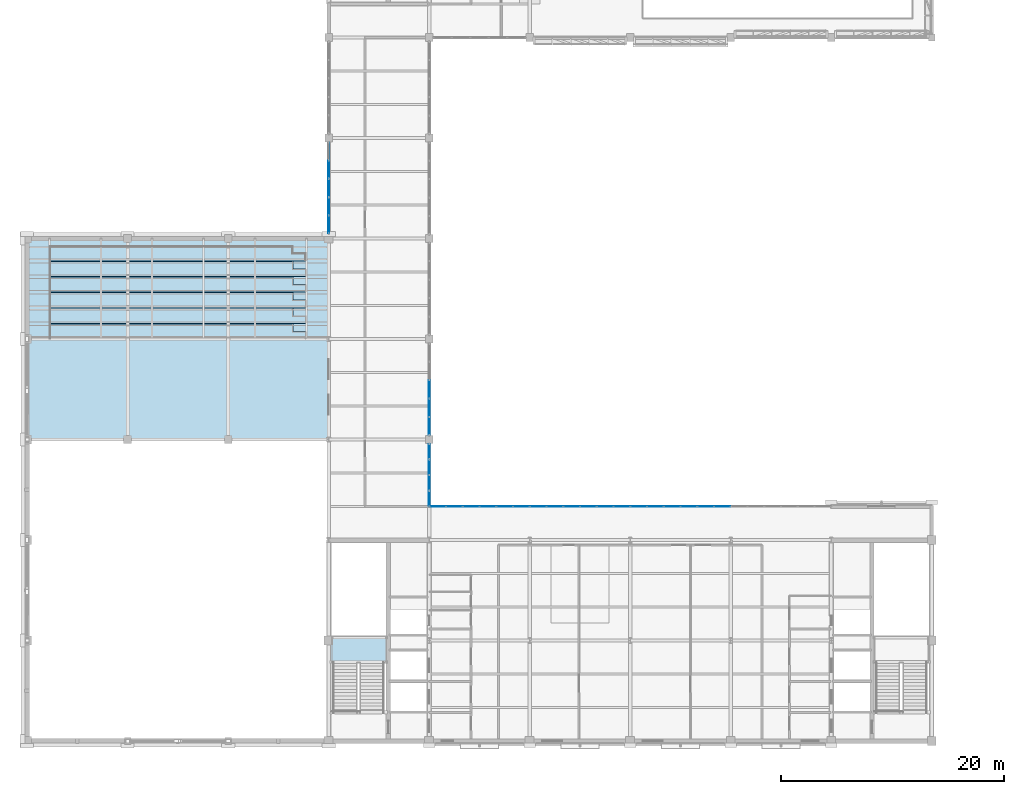
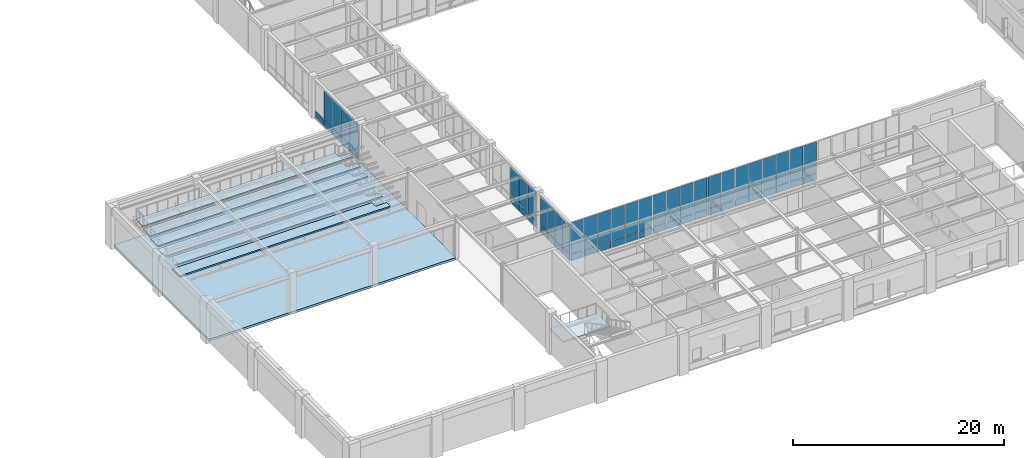
# One storey, part 67 of 98: 59 plates, 8 slabs, 7 elements without a shape of their own.
"""IFC4 building model written with IfcOpenShell, lengths in metres."""

from ifc_helpers import new_model, si_unit, direction, frame, origin, origin_2d, place, context, subcontext, project, spatial, polyline, rectangle, outline, extrude, material, layer, layer_set, type_object, element, aggregate, save


model = new_model("IFC4")

# Units and contexts
model_context = context("Model", 3, precision=1e-05, world=origin(), true_north=direction((0.0, 1.0)))
body_context = subcontext(model_context, "Body", "Model", "MODEL_VIEW")
ifc_project = project(units=[si_unit("LENGTHUNIT", "METRE"), si_unit("AREAUNIT", "SQUARE_METRE"), si_unit("VOLUMEUNIT", "CUBIC_METRE"), si_unit("PLANEANGLEUNIT", "RADIAN"), si_unit("MASSUNIT", "GRAM", prefix="KILO")], contexts=[model_context])

# Site, building, storey
site_placement = place(None, origin())
site = spatial("IfcSite", under=ifc_project, at=site_placement, CompositionType="ELEMENT")
building_placement = place(site_placement, origin())
building = spatial("IfcBuilding", under=site, at=building_placement, Name="Lykobir Media Centre", CompositionType="ELEMENT")
storey_placement = place(building_placement, frame((0.0, 0.0, 10.199951171875)))
storey = spatial("IfcBuildingStorey", under=building, at=storey_placement, Name="L02", CompositionType="ELEMENT", Elevation=10.199951171875)

# Curtain wall, plates
ifc_material_1 = material(Name="Anodized Aluminium AW-6060", Category="aluminium")
curtain_wall_type = type_object("IfcCurtainWallType", Name="CW-COURT-A", PredefinedType="NOTDEFINED", material=ifc_material_1)
curtain_wall_1_placement = place(storey_placement, origin())
curtain_wall_1 = element("IfcCurtainWall", 1, at=curtain_wall_1_placement, inside=storey, type_object=curtain_wall_type, Name="Curtain wall CW2-L02-0073", PredefinedType="NOTDEFINED")
ifc_material_2 = material(Name="Low-E Laminated Triple Glazing", Category="glass")
ifc_layer_1 = layer(ifc_material_2, 0.0380859375, Name="Low-E Laminated Triple Glazing")
ifc_layer_set_1 = layer_set([ifc_layer_1], Name="Low-E Laminated Triple Glazing")
plate_type_1 = type_object("IfcPlateType", Name="CWP-GLZ-38", PredefinedType="CURTAIN_PANEL", material=ifc_layer_set_1)
plate_1_placement = place(storey_placement, frame((36.76611328125, 21.0, 0.882568359375), z_axis=(0.0, 0.0, 1.0), x_axis=(1.0, 0.0, 0.0)))
plate_1 = element("IfcPlate", 2, at=plate_1_placement, type_object=plate_type_1, Name="CW2-L02-0073 panel 1.2", PredefinedType="CURTAIN_PANEL", context=body_context, shape_type="SweptSolid", body=[
    extrude(rectangle(XDim=1.402587890625, YDim=0.0380859375, at=origin_2d()), origin(), (0.0, 0.0, 1.0), 3.592529296875),
])
plate_2_placement = place(storey_placement, frame((38.25, 21.0, 0.882568359375), z_axis=(0.0, 0.0, 1.0), x_axis=(1.0, 0.0, 0.0)))
plate_2 = element("IfcPlate", 3, at=plate_2_placement, type_object=plate_type_1, Name="CW2-L02-0073 panel 2.2", PredefinedType="CURTAIN_PANEL", context=body_context, shape_type="SweptSolid", body=[
    extrude(rectangle(XDim=1.43505859375, YDim=0.0380859375, at=origin_2d()), origin(), (0.0, 0.0, 1.0), 3.592529296875),
])
plate_3_placement = place(storey_placement, frame((39.75, 21.0, 0.882568359375), z_axis=(0.0, 0.0, 1.0), x_axis=(1.0, 0.0, 0.0)))
plate_3 = element("IfcPlate", 4, at=plate_3_placement, type_object=plate_type_1, Name="CW2-L02-0073 panel 3.2", PredefinedType="CURTAIN_PANEL", context=body_context, shape_type="SweptSolid", body=[
    extrude(rectangle(XDim=1.43505859375, YDim=0.0380859375, at=origin_2d()), origin(), (0.0, 0.0, 1.0), 3.592529296875),
])
plate_4_placement = place(storey_placement, frame((41.25, 21.0, 0.882568359375), z_axis=(0.0, 0.0, 1.0), x_axis=(1.0, 0.0, 0.0)))
plate_4 = element("IfcPlate", 5, at=plate_4_placement, type_object=plate_type_1, Name="CW2-L02-0073 panel 4.2", PredefinedType="CURTAIN_PANEL", context=body_context, shape_type="SweptSolid", body=[
    extrude(rectangle(XDim=1.43505859375, YDim=0.0380859375, at=origin_2d()), origin(), (0.0, 0.0, 1.0), 3.592529296875),
])
plate_5_placement = place(storey_placement, frame((42.75, 21.0, 0.882568359375), z_axis=(0.0, 0.0, 1.0), x_axis=(1.0, 0.0, 0.0)))
plate_5 = element("IfcPlate", 6, at=plate_5_placement, type_object=plate_type_1, Name="CW2-L02-0073 panel 5.2", PredefinedType="CURTAIN_PANEL", context=body_context, shape_type="SweptSolid", body=[
    extrude(rectangle(XDim=1.43505859375, YDim=0.0380859375, at=origin_2d()), origin(), (0.0, 0.0, 1.0), 3.592529296875),
])
plate_6_placement = place(storey_placement, frame((44.23388671875, 21.0, 0.882568359375), z_axis=(0.0, 0.0, 1.0), x_axis=(1.0, 0.0, 0.0)))
plate_6 = element("IfcPlate", 7, at=plate_6_placement, type_object=plate_type_1, Name="CW2-L02-0073 panel 6.2", PredefinedType="CURTAIN_PANEL", context=body_context, shape_type="SweptSolid", body=[
    extrude(rectangle(XDim=1.402587890625, YDim=0.0380859375, at=origin_2d()), origin(), (0.0, 0.0, 1.0), 3.592529296875),
])

curtain_wall_2_placement = place(storey_placement, origin())
curtain_wall_2 = element("IfcCurtainWall", 8, at=curtain_wall_2_placement, inside=storey, type_object=curtain_wall_type, Name="Curtain wall CW2-L02-0074", PredefinedType="NOTDEFINED")
plate_7_placement = place(storey_placement, frame((45.76611328125, 21.0, 0.882568359375), z_axis=(0.0, 0.0, 1.0), x_axis=(1.0, 0.0, 0.0)))
plate_7 = element("IfcPlate", 9, at=plate_7_placement, type_object=plate_type_1, Name="CW2-L02-0074 panel 1.2", PredefinedType="CURTAIN_PANEL", context=body_context, shape_type="SweptSolid", body=[
    extrude(rectangle(XDim=1.402587890625, YDim=0.0380859375, at=origin_2d()), origin(), (0.0, 0.0, 1.0), 3.592529296875),
])
plate_8_placement = place(storey_placement, frame((47.25, 21.0, 0.882568359375), z_axis=(0.0, 0.0, 1.0), x_axis=(1.0, 0.0, 0.0)))
plate_8 = element("IfcPlate", 10, at=plate_8_placement, type_object=plate_type_1, Name="CW2-L02-0074 panel 2.2", PredefinedType="CURTAIN_PANEL", context=body_context, shape_type="SweptSolid", body=[
    extrude(rectangle(XDim=1.43505859375, YDim=0.0380859375, at=origin_2d()), origin(), (0.0, 0.0, 1.0), 3.592529296875),
])
plate_9_placement = place(storey_placement, frame((48.75, 21.0, 0.882568359375), z_axis=(0.0, 0.0, 1.0), x_axis=(1.0, 0.0, 0.0)))
plate_9 = element("IfcPlate", 11, at=plate_9_placement, type_object=plate_type_1, Name="CW2-L02-0074 panel 3.2", PredefinedType="CURTAIN_PANEL", context=body_context, shape_type="SweptSolid", body=[
    extrude(rectangle(XDim=1.43505859375, YDim=0.0380859375, at=origin_2d()), origin(), (0.0, 0.0, 1.0), 3.592529296875),
])
plate_10_placement = place(storey_placement, frame((50.25, 21.0, 0.882568359375), z_axis=(0.0, 0.0, 1.0), x_axis=(1.0, 0.0, 0.0)))
plate_10 = element("IfcPlate", 12, at=plate_10_placement, type_object=plate_type_1, Name="CW2-L02-0074 panel 4.2", PredefinedType="CURTAIN_PANEL", context=body_context, shape_type="SweptSolid", body=[
    extrude(rectangle(XDim=1.43505859375, YDim=0.0380859375, at=origin_2d()), origin(), (0.0, 0.0, 1.0), 3.592529296875),
])
plate_11_placement = place(storey_placement, frame((51.75, 21.0, 0.882568359375), z_axis=(0.0, 0.0, 1.0), x_axis=(1.0, 0.0, 0.0)))
plate_11 = element("IfcPlate", 13, at=plate_11_placement, type_object=plate_type_1, Name="CW2-L02-0074 panel 5.2", PredefinedType="CURTAIN_PANEL", context=body_context, shape_type="SweptSolid", body=[
    extrude(rectangle(XDim=1.43505859375, YDim=0.0380859375, at=origin_2d()), origin(), (0.0, 0.0, 1.0), 3.592529296875),
])
plate_12_placement = place(storey_placement, frame((53.23388671875, 21.0, 0.882568359375), z_axis=(0.0, 0.0, 1.0), x_axis=(1.0, 0.0, 0.0)))
plate_12 = element("IfcPlate", 14, at=plate_12_placement, type_object=plate_type_1, Name="CW2-L02-0074 panel 6.2", PredefinedType="CURTAIN_PANEL", context=body_context, shape_type="SweptSolid", body=[
    extrude(rectangle(XDim=1.402587890625, YDim=0.0380859375, at=origin_2d()), origin(), (0.0, 0.0, 1.0), 3.592529296875),
])

curtain_wall_3_placement = place(storey_placement, origin())
curtain_wall_3 = element("IfcCurtainWall", 15, at=curtain_wall_3_placement, inside=storey, type_object=curtain_wall_type, Name="Curtain wall CW2-L02-0075", PredefinedType="NOTDEFINED")
plate_13_placement = place(storey_placement, frame((54.76611328125, 21.0, 0.882568359375), z_axis=(0.0, 0.0, 1.0), x_axis=(1.0, 0.0, 0.0)))
plate_13 = element("IfcPlate", 16, at=plate_13_placement, type_object=plate_type_1, Name="CW2-L02-0075 panel 1.2", PredefinedType="CURTAIN_PANEL", context=body_context, shape_type="SweptSolid", body=[
    extrude(rectangle(XDim=1.402587890625, YDim=0.0380859375, at=origin_2d()), origin(), (0.0, 0.0, 1.0), 3.592529296875),
])
plate_14_placement = place(storey_placement, frame((56.25, 21.0, 0.882568359375), z_axis=(0.0, 0.0, 1.0), x_axis=(1.0, 0.0, 0.0)))
plate_14 = element("IfcPlate", 17, at=plate_14_placement, type_object=plate_type_1, Name="CW2-L02-0075 panel 2.2", PredefinedType="CURTAIN_PANEL", context=body_context, shape_type="SweptSolid", body=[
    extrude(rectangle(XDim=1.43505859375, YDim=0.0380859375, at=origin_2d()), origin(), (0.0, 0.0, 1.0), 3.592529296875),
])
plate_15_placement = place(storey_placement, frame((57.75, 21.0, 0.882568359375), z_axis=(0.0, 0.0, 1.0), x_axis=(1.0, 0.0, 0.0)))
plate_15 = element("IfcPlate", 18, at=plate_15_placement, type_object=plate_type_1, Name="CW2-L02-0075 panel 3.2", PredefinedType="CURTAIN_PANEL", context=body_context, shape_type="SweptSolid", body=[
    extrude(rectangle(XDim=1.43505859375, YDim=0.0380859375, at=origin_2d()), origin(), (0.0, 0.0, 1.0), 3.592529296875),
])
plate_16_placement = place(storey_placement, frame((59.25, 21.0, 0.882568359375), z_axis=(0.0, 0.0, 1.0), x_axis=(1.0, 0.0, 0.0)))
plate_16 = element("IfcPlate", 19, at=plate_16_placement, type_object=plate_type_1, Name="CW2-L02-0075 panel 4.2", PredefinedType="CURTAIN_PANEL", context=body_context, shape_type="SweptSolid", body=[
    extrude(rectangle(XDim=1.43505859375, YDim=0.0380859375, at=origin_2d()), origin(), (0.0, 0.0, 1.0), 3.592529296875),
])
plate_17_placement = place(storey_placement, frame((60.75, 21.0, 0.882568359375), z_axis=(0.0, 0.0, 1.0), x_axis=(1.0, 0.0, 0.0)))
plate_17 = element("IfcPlate", 20, at=plate_17_placement, type_object=plate_type_1, Name="CW2-L02-0075 panel 5.2", PredefinedType="CURTAIN_PANEL", context=body_context, shape_type="SweptSolid", body=[
    extrude(rectangle(XDim=1.43505859375, YDim=0.0380859375, at=origin_2d()), origin(), (0.0, 0.0, 1.0), 3.592529296875),
])
plate_18_placement = place(storey_placement, frame((62.23388671875, 21.0, 0.882568359375), z_axis=(0.0, 0.0, 1.0), x_axis=(1.0, 0.0, 0.0)))
plate_18 = element("IfcPlate", 21, at=plate_18_placement, type_object=plate_type_1, Name="CW2-L02-0075 panel 6.2", PredefinedType="CURTAIN_PANEL", context=body_context, shape_type="SweptSolid", body=[
    extrude(rectangle(XDim=1.402587890625, YDim=0.0380859375, at=origin_2d()), origin(), (0.0, 0.0, 1.0), 3.592529296875),
])

curtain_wall_4_placement = place(storey_placement, origin())
curtain_wall_4 = element("IfcCurtainWall", 22, at=curtain_wall_4_placement, inside=storey, type_object=curtain_wall_type, Name="Curtain wall CW2-L02-0077", PredefinedType="NOTDEFINED")
plate_19_placement = place(storey_placement, frame((36.0, 25.923095703125, 0.882568359375), z_axis=(0.0, 0.0, 1.0), x_axis=(0.0, -1.0, 0.0)))
plate_19 = element("IfcPlate", 23, at=plate_19_placement, type_object=plate_type_1, Name="CW2-L02-0077 panel 1.2", PredefinedType="CURTAIN_PANEL", context=body_context, shape_type="SweptSolid", body=[
    extrude(rectangle(XDim=1.313720703125, YDim=0.0380859375, at=origin_2d()), origin(), (0.0, 0.0, 1.0), 3.267578125),
])
plate_20_placement = place(storey_placement, frame((36.0, 24.528076171875, 0.882568359375), z_axis=(0.0, 0.0, 1.0), x_axis=(0.0, -1.0, 0.0)))
plate_20 = element("IfcPlate", 24, at=plate_20_placement, type_object=plate_type_1, Name="CW2-L02-0077 panel 2.2", PredefinedType="CURTAIN_PANEL", context=body_context, shape_type="SweptSolid", body=[
    extrude(rectangle(XDim=1.34619140625, YDim=0.0380859375, at=origin_2d()), origin(), (0.0, 0.0, 1.0), 3.267578125),
])
plate_21_placement = place(storey_placement, frame((36.0, 23.116943359375, 0.882568359375), z_axis=(0.0, 0.0, 1.0), x_axis=(0.0, -1.0, 0.0)))
plate_21 = element("IfcPlate", 25, at=plate_21_placement, type_object=plate_type_1, Name="CW2-L02-0077 panel 3.2", PredefinedType="CURTAIN_PANEL", context=body_context, shape_type="SweptSolid", body=[
    extrude(rectangle(XDim=1.34619140625, YDim=0.0380859375, at=origin_2d()), origin(), (0.0, 0.0, 1.0), 3.267578125),
])
plate_22_placement = place(storey_placement, frame((36.0, 21.721923828125, 0.882568359375), z_axis=(0.0, 0.0, 1.0), x_axis=(0.0, -1.0, 0.0)))
plate_22 = element("IfcPlate", 26, at=plate_22_placement, type_object=plate_type_1, Name="CW2-L02-0077 panel 4.2", PredefinedType="CURTAIN_PANEL", context=body_context, shape_type="SweptSolid", body=[
    extrude(rectangle(XDim=1.313720703125, YDim=0.0380859375, at=origin_2d()), origin(), (0.0, 0.0, 1.0), 3.267578125),
])

curtain_wall_5_placement = place(storey_placement, origin())
curtain_wall_5 = element("IfcCurtainWall", 27, at=curtain_wall_5_placement, inside=storey, type_object=curtain_wall_type, Name="Curtain wall CW2-L02-0078", PredefinedType="NOTDEFINED")
plate_23_placement = place(storey_placement, frame((36.0, 31.5, 0.882568359375), z_axis=(0.0, 0.0, 1.0), x_axis=(0.0, -1.0, 0.0)))
plate_23 = element("IfcPlate", 28, at=plate_23_placement, type_object=plate_type_1, Name="CW2-L02-0078 panel 3.2", PredefinedType="CURTAIN_PANEL", context=body_context, shape_type="SweptSolid", body=[
    extrude(rectangle(XDim=1.593017578125, YDim=0.0380859375, at=origin_2d()), origin(), (0.0, 0.0, 1.0), 3.267578125),
])
plate_24_placement = place(storey_placement, frame((36.0, 29.842041015625, 0.882568359375), z_axis=(0.0, 0.0, 1.0), x_axis=(0.0, -1.0, 0.0)))
plate_24 = element("IfcPlate", 29, at=plate_24_placement, type_object=plate_type_1, Name="CW2-L02-0078 panel 4.2", PredefinedType="CURTAIN_PANEL", context=body_context, shape_type="SweptSolid", body=[
    extrude(rectangle(XDim=1.593017578125, YDim=0.0380859375, at=origin_2d()), origin(), (0.0, 0.0, 1.0), 3.267578125),
])
plate_25_placement = place(storey_placement, frame((36.0, 28.2001953125, 0.882568359375), z_axis=(0.0, 0.0, 1.0), x_axis=(0.0, -1.0, 0.0)))
plate_25 = element("IfcPlate", 30, at=plate_25_placement, type_object=plate_type_1, Name="CW2-L02-0078 panel 5.2", PredefinedType="CURTAIN_PANEL", context=body_context, shape_type="SweptSolid", body=[
    extrude(rectangle(XDim=1.560546875, YDim=0.0380859375, at=origin_2d()), origin(), (0.0, 0.0, 1.0), 3.267578125),
])

curtain_wall_6_placement = place(storey_placement, origin())
curtain_wall_6 = element("IfcCurtainWall", 31, at=curtain_wall_6_placement, inside=storey, type_object=curtain_wall_type, Name="Curtain wall CW2-L02-0097", PredefinedType="NOTDEFINED")
plate_26_placement = place(storey_placement, frame((27.0, 46.2451171875, 0.882568359375), z_axis=(0.0, 0.0, 1.0), x_axis=(0.0, 1.0, 0.0)))
plate_26 = element("IfcPlate", 32, at=plate_26_placement, type_object=plate_type_1, Name="CW2-L02-0097 panel 1.2", PredefinedType="CURTAIN_PANEL", context=body_context, shape_type="SweptSolid", body=[
    extrude(rectangle(XDim=1.550537109375, YDim=0.0380859375, at=origin_2d()), origin(), (0.0, 0.0, 1.0), 3.28759765625),
])
plate_27_placement = place(storey_placement, frame((27.0, 47.876953125, 0.882568359375), z_axis=(0.0, 0.0, 1.0), x_axis=(0.0, 1.0, 0.0)))
plate_27 = element("IfcPlate", 33, at=plate_27_placement, type_object=plate_type_1, Name="CW2-L02-0097 panel 2.2", PredefinedType="CURTAIN_PANEL", context=body_context, shape_type="SweptSolid", body=[
    extrude(rectangle(XDim=1.5830078125, YDim=0.0380859375, at=origin_2d()), origin(), (0.0, 0.0, 1.0), 3.28759765625),
])
plate_28_placement = place(storey_placement, frame((27.0, 49.52490234375, 0.882568359375), z_axis=(0.0, 0.0, 1.0), x_axis=(0.0, 1.0, 0.0)))
plate_28 = element("IfcPlate", 34, at=plate_28_placement, type_object=plate_type_1, Name="CW2-L02-0097 panel 3.2", PredefinedType="CURTAIN_PANEL", context=body_context, shape_type="SweptSolid", body=[
    extrude(rectangle(XDim=1.5830078125, YDim=0.0380859375, at=origin_2d()), origin(), (0.0, 0.0, 1.0), 3.28759765625),
])
plate_29_placement = place(storey_placement, frame((27.0, 51.173095703125, 0.882568359375), z_axis=(0.0, 0.0, 1.0), x_axis=(0.0, 1.0, 0.0)))
plate_29 = element("IfcPlate", 35, at=plate_29_placement, type_object=plate_type_1, Name="CW2-L02-0097 panel 4.2", PredefinedType="CURTAIN_PANEL", context=body_context, shape_type="SweptSolid", body=[
    extrude(rectangle(XDim=1.5830078125, YDim=0.0380859375, at=origin_2d()), origin(), (0.0, 0.0, 1.0), 3.28759765625),
])

# Plate
ifc_material_3 = material(Name="Glazed Turquoise Terracotta", Category="masonry")
ifc_layer_2 = layer(ifc_material_3, 0.06005859375, Name="Glazed Turquoise Terracotta")
ifc_layer_set_2 = layer_set([ifc_layer_2], Name="Glazed Turquoise Terracotta")
plate_type_2 = type_object("IfcPlateType", Name="CWP-SPN-60", PredefinedType="CURTAIN_PANEL", material=ifc_layer_set_2)
plate_30_placement = place(storey_placement, frame((36.76611328125, 21.0, 0.06494140625), z_axis=(0.0, 0.0, 1.0), x_axis=(1.0, 0.0, 0.0)))
plate_30 = element("IfcPlate", 36, at=plate_30_placement, type_object=plate_type_2, Name="CW2-L02-0073 panel 1.1", PredefinedType="CURTAIN_PANEL", context=body_context, shape_type="SweptSolid", body=[
    extrude(rectangle(XDim=1.402587890625, YDim=0.06005859375, at=origin_2d()), origin(), (0.0, 0.0, 1.0), 0.75244140625),
])

plate_31_placement = place(storey_placement, frame((38.25, 21.0, 0.06494140625), z_axis=(0.0, 0.0, 1.0), x_axis=(1.0, 0.0, 0.0)))
plate_31 = element("IfcPlate", 37, at=plate_31_placement, type_object=plate_type_2, Name="CW2-L02-0073 panel 2.1", PredefinedType="CURTAIN_PANEL", context=body_context, shape_type="SweptSolid", body=[
    extrude(rectangle(XDim=1.43505859375, YDim=0.06005859375, at=origin_2d()), origin(), (0.0, 0.0, 1.0), 0.75244140625),
])

plate_32_placement = place(storey_placement, frame((39.75, 21.0, 0.06494140625), z_axis=(0.0, 0.0, 1.0), x_axis=(1.0, 0.0, 0.0)))
plate_32 = element("IfcPlate", 38, at=plate_32_placement, type_object=plate_type_2, Name="CW2-L02-0073 panel 3.1", PredefinedType="CURTAIN_PANEL", context=body_context, shape_type="SweptSolid", body=[
    extrude(rectangle(XDim=1.43505859375, YDim=0.06005859375, at=origin_2d()), origin(), (0.0, 0.0, 1.0), 0.75244140625),
])

plate_33_placement = place(storey_placement, frame((41.25, 21.0, 0.06494140625), z_axis=(0.0, 0.0, 1.0), x_axis=(1.0, 0.0, 0.0)))
plate_33 = element("IfcPlate", 39, at=plate_33_placement, type_object=plate_type_2, Name="CW2-L02-0073 panel 4.1", PredefinedType="CURTAIN_PANEL", context=body_context, shape_type="SweptSolid", body=[
    extrude(rectangle(XDim=1.43505859375, YDim=0.06005859375, at=origin_2d()), origin(), (0.0, 0.0, 1.0), 0.75244140625),
])

plate_34_placement = place(storey_placement, frame((42.75, 21.0, 0.06494140625), z_axis=(0.0, 0.0, 1.0), x_axis=(1.0, 0.0, 0.0)))
plate_34 = element("IfcPlate", 40, at=plate_34_placement, type_object=plate_type_2, Name="CW2-L02-0073 panel 5.1", PredefinedType="CURTAIN_PANEL", context=body_context, shape_type="SweptSolid", body=[
    extrude(rectangle(XDim=1.43505859375, YDim=0.06005859375, at=origin_2d()), origin(), (0.0, 0.0, 1.0), 0.75244140625),
])

plate_35_placement = place(storey_placement, frame((44.23388671875, 21.0, 0.06494140625), z_axis=(0.0, 0.0, 1.0), x_axis=(1.0, 0.0, 0.0)))
plate_35 = element("IfcPlate", 41, at=plate_35_placement, type_object=plate_type_2, Name="CW2-L02-0073 panel 6.1", PredefinedType="CURTAIN_PANEL", context=body_context, shape_type="SweptSolid", body=[
    extrude(rectangle(XDim=1.402587890625, YDim=0.06005859375, at=origin_2d()), origin(), (0.0, 0.0, 1.0), 0.75244140625),
])

aggregate(curtain_wall_1, [plate_30, plate_1, plate_31, plate_2, plate_32, plate_3, plate_33, plate_4, plate_34, plate_5, plate_35, plate_6])

plate_36_placement = place(storey_placement, frame((45.76611328125, 21.0, 0.06494140625), z_axis=(0.0, 0.0, 1.0), x_axis=(1.0, 0.0, 0.0)))
plate_36 = element("IfcPlate", 42, at=plate_36_placement, type_object=plate_type_2, Name="CW2-L02-0074 panel 1.1", PredefinedType="CURTAIN_PANEL", context=body_context, shape_type="SweptSolid", body=[
    extrude(rectangle(XDim=1.402587890625, YDim=0.06005859375, at=origin_2d()), origin(), (0.0, 0.0, 1.0), 0.75244140625),
])

plate_37_placement = place(storey_placement, frame((47.25, 21.0, 0.06494140625), z_axis=(0.0, 0.0, 1.0), x_axis=(1.0, 0.0, 0.0)))
plate_37 = element("IfcPlate", 43, at=plate_37_placement, type_object=plate_type_2, Name="CW2-L02-0074 panel 2.1", PredefinedType="CURTAIN_PANEL", context=body_context, shape_type="SweptSolid", body=[
    extrude(rectangle(XDim=1.43505859375, YDim=0.06005859375, at=origin_2d()), origin(), (0.0, 0.0, 1.0), 0.75244140625),
])

plate_38_placement = place(storey_placement, frame((48.75, 21.0, 0.06494140625), z_axis=(0.0, 0.0, 1.0), x_axis=(1.0, 0.0, 0.0)))
plate_38 = element("IfcPlate", 44, at=plate_38_placement, type_object=plate_type_2, Name="CW2-L02-0074 panel 3.1", PredefinedType="CURTAIN_PANEL", context=body_context, shape_type="SweptSolid", body=[
    extrude(rectangle(XDim=1.43505859375, YDim=0.06005859375, at=origin_2d()), origin(), (0.0, 0.0, 1.0), 0.75244140625),
])

plate_39_placement = place(storey_placement, frame((50.25, 21.0, 0.06494140625), z_axis=(0.0, 0.0, 1.0), x_axis=(1.0, 0.0, 0.0)))
plate_39 = element("IfcPlate", 45, at=plate_39_placement, type_object=plate_type_2, Name="CW2-L02-0074 panel 4.1", PredefinedType="CURTAIN_PANEL", context=body_context, shape_type="SweptSolid", body=[
    extrude(rectangle(XDim=1.43505859375, YDim=0.06005859375, at=origin_2d()), origin(), (0.0, 0.0, 1.0), 0.75244140625),
])

plate_40_placement = place(storey_placement, frame((51.75, 21.0, 0.06494140625), z_axis=(0.0, 0.0, 1.0), x_axis=(1.0, 0.0, 0.0)))
plate_40 = element("IfcPlate", 46, at=plate_40_placement, type_object=plate_type_2, Name="CW2-L02-0074 panel 5.1", PredefinedType="CURTAIN_PANEL", context=body_context, shape_type="SweptSolid", body=[
    extrude(rectangle(XDim=1.43505859375, YDim=0.06005859375, at=origin_2d()), origin(), (0.0, 0.0, 1.0), 0.75244140625),
])

plate_41_placement = place(storey_placement, frame((53.23388671875, 21.0, 0.06494140625), z_axis=(0.0, 0.0, 1.0), x_axis=(1.0, 0.0, 0.0)))
plate_41 = element("IfcPlate", 47, at=plate_41_placement, type_object=plate_type_2, Name="CW2-L02-0074 panel 6.1", PredefinedType="CURTAIN_PANEL", context=body_context, shape_type="SweptSolid", body=[
    extrude(rectangle(XDim=1.402587890625, YDim=0.06005859375, at=origin_2d()), origin(), (0.0, 0.0, 1.0), 0.75244140625),
])

aggregate(curtain_wall_2, [plate_36, plate_7, plate_37, plate_8, plate_38, plate_9, plate_39, plate_10, plate_40, plate_11, plate_41, plate_12])

plate_42_placement = place(storey_placement, frame((54.76611328125, 21.0, 0.06494140625), z_axis=(0.0, 0.0, 1.0), x_axis=(1.0, 0.0, 0.0)))
plate_42 = element("IfcPlate", 48, at=plate_42_placement, type_object=plate_type_2, Name="CW2-L02-0075 panel 1.1", PredefinedType="CURTAIN_PANEL", context=body_context, shape_type="SweptSolid", body=[
    extrude(rectangle(XDim=1.402587890625, YDim=0.06005859375, at=origin_2d()), origin(), (0.0, 0.0, 1.0), 0.75244140625),
])

plate_43_placement = place(storey_placement, frame((56.25, 21.0, 0.06494140625), z_axis=(0.0, 0.0, 1.0), x_axis=(1.0, 0.0, 0.0)))
plate_43 = element("IfcPlate", 49, at=plate_43_placement, type_object=plate_type_2, Name="CW2-L02-0075 panel 2.1", PredefinedType="CURTAIN_PANEL", context=body_context, shape_type="SweptSolid", body=[
    extrude(rectangle(XDim=1.43505859375, YDim=0.06005859375, at=origin_2d()), origin(), (0.0, 0.0, 1.0), 0.75244140625),
])

plate_44_placement = place(storey_placement, frame((57.75, 21.0, 0.06494140625), z_axis=(0.0, 0.0, 1.0), x_axis=(1.0, 0.0, 0.0)))
plate_44 = element("IfcPlate", 50, at=plate_44_placement, type_object=plate_type_2, Name="CW2-L02-0075 panel 3.1", PredefinedType="CURTAIN_PANEL", context=body_context, shape_type="SweptSolid", body=[
    extrude(rectangle(XDim=1.43505859375, YDim=0.06005859375, at=origin_2d()), origin(), (0.0, 0.0, 1.0), 0.75244140625),
])

plate_45_placement = place(storey_placement, frame((59.25, 21.0, 0.06494140625), z_axis=(0.0, 0.0, 1.0), x_axis=(1.0, 0.0, 0.0)))
plate_45 = element("IfcPlate", 51, at=plate_45_placement, type_object=plate_type_2, Name="CW2-L02-0075 panel 4.1", PredefinedType="CURTAIN_PANEL", context=body_context, shape_type="SweptSolid", body=[
    extrude(rectangle(XDim=1.43505859375, YDim=0.06005859375, at=origin_2d()), origin(), (0.0, 0.0, 1.0), 0.75244140625),
])

plate_46_placement = place(storey_placement, frame((60.75, 21.0, 0.06494140625), z_axis=(0.0, 0.0, 1.0), x_axis=(1.0, 0.0, 0.0)))
plate_46 = element("IfcPlate", 52, at=plate_46_placement, type_object=plate_type_2, Name="CW2-L02-0075 panel 5.1", PredefinedType="CURTAIN_PANEL", context=body_context, shape_type="SweptSolid", body=[
    extrude(rectangle(XDim=1.43505859375, YDim=0.06005859375, at=origin_2d()), origin(), (0.0, 0.0, 1.0), 0.75244140625),
])

plate_47_placement = place(storey_placement, frame((62.23388671875, 21.0, 0.06494140625), z_axis=(0.0, 0.0, 1.0), x_axis=(1.0, 0.0, 0.0)))
plate_47 = element("IfcPlate", 53, at=plate_47_placement, type_object=plate_type_2, Name="CW2-L02-0075 panel 6.1", PredefinedType="CURTAIN_PANEL", context=body_context, shape_type="SweptSolid", body=[
    extrude(rectangle(XDim=1.402587890625, YDim=0.06005859375, at=origin_2d()), origin(), (0.0, 0.0, 1.0), 0.75244140625),
])

aggregate(curtain_wall_3, [plate_42, plate_13, plate_43, plate_14, plate_44, plate_15, plate_45, plate_16, plate_46, plate_17, plate_47, plate_18])

plate_48_placement = place(storey_placement, frame((36.0, 25.923095703125, 0.06494140625), z_axis=(0.0, 0.0, 1.0), x_axis=(0.0, -1.0, 0.0)))
plate_48 = element("IfcPlate", 54, at=plate_48_placement, type_object=plate_type_2, Name="CW2-L02-0077 panel 1.1", PredefinedType="CURTAIN_PANEL", context=body_context, shape_type="SweptSolid", body=[
    extrude(rectangle(XDim=1.313720703125, YDim=0.06005859375, at=origin_2d()), origin(), (0.0, 0.0, 1.0), 0.75244140625),
])

plate_49_placement = place(storey_placement, frame((36.0, 24.528076171875, 0.06494140625), z_axis=(0.0, 0.0, 1.0), x_axis=(0.0, -1.0, 0.0)))
plate_49 = element("IfcPlate", 55, at=plate_49_placement, type_object=plate_type_2, Name="CW2-L02-0077 panel 2.1", PredefinedType="CURTAIN_PANEL", context=body_context, shape_type="SweptSolid", body=[
    extrude(rectangle(XDim=1.34619140625, YDim=0.06005859375, at=origin_2d()), origin(), (0.0, 0.0, 1.0), 0.75244140625),
])

plate_50_placement = place(storey_placement, frame((36.0, 23.116943359375, 0.06494140625), z_axis=(0.0, 0.0, 1.0), x_axis=(0.0, -1.0, 0.0)))
plate_50 = element("IfcPlate", 56, at=plate_50_placement, type_object=plate_type_2, Name="CW2-L02-0077 panel 3.1", PredefinedType="CURTAIN_PANEL", context=body_context, shape_type="SweptSolid", body=[
    extrude(rectangle(XDim=1.34619140625, YDim=0.06005859375, at=origin_2d()), origin(), (0.0, 0.0, 1.0), 0.75244140625),
])

plate_51_placement = place(storey_placement, frame((36.0, 21.721923828125, 0.06494140625), z_axis=(0.0, 0.0, 1.0), x_axis=(0.0, -1.0, 0.0)))
plate_51 = element("IfcPlate", 57, at=plate_51_placement, type_object=plate_type_2, Name="CW2-L02-0077 panel 4.1", PredefinedType="CURTAIN_PANEL", context=body_context, shape_type="SweptSolid", body=[
    extrude(rectangle(XDim=1.313720703125, YDim=0.06005859375, at=origin_2d()), origin(), (0.0, 0.0, 1.0), 0.75244140625),
])

aggregate(curtain_wall_4, [plate_48, plate_19, plate_49, plate_20, plate_50, plate_21, plate_51, plate_22])

plate_52_placement = place(storey_placement, frame((36.0, 31.5, 0.06494140625), z_axis=(0.0, 0.0, 1.0), x_axis=(0.0, -1.0, 0.0)))
plate_52 = element("IfcPlate", 58, at=plate_52_placement, type_object=plate_type_2, Name="CW2-L02-0078 panel 3.1", PredefinedType="CURTAIN_PANEL", context=body_context, shape_type="SweptSolid", body=[
    extrude(rectangle(XDim=1.593017578125, YDim=0.06005859375, at=origin_2d()), origin(), (0.0, 0.0, 1.0), 0.75244140625),
])

plate_53_placement = place(storey_placement, frame((36.0, 29.842041015625, 0.06494140625), z_axis=(0.0, 0.0, 1.0), x_axis=(0.0, -1.0, 0.0)))
plate_53 = element("IfcPlate", 59, at=plate_53_placement, type_object=plate_type_2, Name="CW2-L02-0078 panel 4.1", PredefinedType="CURTAIN_PANEL", context=body_context, shape_type="SweptSolid", body=[
    extrude(rectangle(XDim=1.593017578125, YDim=0.06005859375, at=origin_2d()), origin(), (0.0, 0.0, 1.0), 0.75244140625),
])

plate_54_placement = place(storey_placement, frame((36.0, 28.2001953125, 0.06494140625), z_axis=(0.0, 0.0, 1.0), x_axis=(0.0, -1.0, 0.0)))
plate_54 = element("IfcPlate", 60, at=plate_54_placement, type_object=plate_type_2, Name="CW2-L02-0078 panel 5.1", PredefinedType="CURTAIN_PANEL", context=body_context, shape_type="SweptSolid", body=[
    extrude(rectangle(XDim=1.560546875, YDim=0.06005859375, at=origin_2d()), origin(), (0.0, 0.0, 1.0), 0.75244140625),
])

aggregate(curtain_wall_5, [plate_52, plate_23, plate_53, plate_24, plate_54, plate_25])

plate_55_placement = place(storey_placement, frame((27.0, 46.2451171875, 0.06494140625), z_axis=(0.0, 0.0, 1.0), x_axis=(0.0, 1.0, 0.0)))
plate_55 = element("IfcPlate", 61, at=plate_55_placement, type_object=plate_type_2, Name="CW2-L02-0097 panel 1.1", PredefinedType="CURTAIN_PANEL", context=body_context, shape_type="SweptSolid", body=[
    extrude(rectangle(XDim=1.550537109375, YDim=0.06005859375, at=origin_2d()), origin(), (0.0, 0.0, 1.0), 0.75244140625),
])

plate_56_placement = place(storey_placement, frame((27.0, 47.876953125, 0.06494140625), z_axis=(0.0, 0.0, 1.0), x_axis=(0.0, 1.0, 0.0)))
plate_56 = element("IfcPlate", 62, at=plate_56_placement, type_object=plate_type_2, Name="CW2-L02-0097 panel 2.1", PredefinedType="CURTAIN_PANEL", context=body_context, shape_type="SweptSolid", body=[
    extrude(rectangle(XDim=1.5830078125, YDim=0.06005859375, at=origin_2d()), origin(), (0.0, 0.0, 1.0), 0.75244140625),
])

plate_57_placement = place(storey_placement, frame((27.0, 49.52490234375, 0.06494140625), z_axis=(0.0, 0.0, 1.0), x_axis=(0.0, 1.0, 0.0)))
plate_57 = element("IfcPlate", 63, at=plate_57_placement, type_object=plate_type_2, Name="CW2-L02-0097 panel 3.1", PredefinedType="CURTAIN_PANEL", context=body_context, shape_type="SweptSolid", body=[
    extrude(rectangle(XDim=1.5830078125, YDim=0.06005859375, at=origin_2d()), origin(), (0.0, 0.0, 1.0), 0.75244140625),
])

plate_58_placement = place(storey_placement, frame((27.0, 51.173095703125, 0.06494140625), z_axis=(0.0, 0.0, 1.0), x_axis=(0.0, 1.0, 0.0)))
plate_58 = element("IfcPlate", 64, at=plate_58_placement, type_object=plate_type_2, Name="CW2-L02-0097 panel 4.1", PredefinedType="CURTAIN_PANEL", context=body_context, shape_type="SweptSolid", body=[
    extrude(rectangle(XDim=1.5830078125, YDim=0.06005859375, at=origin_2d()), origin(), (0.0, 0.0, 1.0), 0.75244140625),
])

plate_59_placement = place(storey_placement, frame((27.0, 52.8046875, 0.06494140625), z_axis=(0.0, 0.0, 1.0), x_axis=(0.0, 1.0, 0.0)))
plate_59 = element("IfcPlate", 65, at=plate_59_placement, type_object=plate_type_2, Name="CW2-L02-0097 panel 5.1", PredefinedType="CURTAIN_PANEL", context=body_context, shape_type="SweptSolid", body=[
    extrude(rectangle(XDim=1.550537109375, YDim=0.06005859375, at=origin_2d()), origin(), (0.0, 0.0, 1.0), 0.75244140625),
])

aggregate(curtain_wall_6, [plate_55, plate_26, plate_56, plate_27, plate_57, plate_28, plate_58, plate_29, plate_59])

# Slab
ifc_material_4 = material(Name="Concrete C30/37", Category="concrete")
ifc_layer_3 = layer(ifc_material_4, 0.25, Name="Concrete C30/37")
ifc_layer_set_3 = layer_set([ifc_layer_3], Name="Concrete C30/37")
slab_type_1 = type_object("IfcSlabType", Name="FS-250", PredefinedType="FLOOR", material=ifc_layer_set_3)
slab_1_placement = place(storey_placement, frame((0.0, 0.0, -0.25)))
element("IfcSlab", 66, at=slab_1_placement, inside=storey, type_object=slab_type_1, Name="L02 structural slab 4", PredefinedType="FLOOR", context=body_context, shape_type="SweptSolid", body=[
    extrude(outline(polyline([(27.0, 27.0), (27.0, 45.0), (0.0, 45.0), (0.0, 27.0), (27.0, 27.0)])), origin(), (0.0, 0.0, 1.0), 0.25),
])

# Stair, slab
stair_type = type_object("IfcStairType", Name="ST-HT-480", PredefinedType="HALF_TURN_STAIR", material=ifc_material_4)
stair_placement = place(storey_placement, origin())
stair = element("IfcStair", 67, at=stair_placement, inside=storey, type_object=stair_type, Name="Escape stair ST-1 L02", PredefinedType="HALF_TURN_STAIR")
ifc_layer_4 = layer(ifc_material_4, 0.195068359375, Name="Concrete C30/37")
ifc_layer_set_4 = layer_set([ifc_layer_4], Name="Concrete C30/37")
slab_type_2 = type_object("IfcSlabType", Name="SL-195", PredefinedType="LANDING", material=ifc_layer_set_4)
slab_2_placement = place(storey_placement, frame((0.0, 0.0, 2.205078125)))
slab_2 = element("IfcSlab", 68, at=slab_2_placement, type_object=slab_type_2, Name="ST-1-L02 landing 1", PredefinedType="LANDING", context=body_context, shape_type="SweptSolid", body=[
    extrude(outline(polyline([(27.1298828125, 6.949951171875), (32.27001953125, 6.949951171875), (32.27001953125, 9.429931640625), (27.1298828125, 9.429931640625), (27.1298828125, 6.949951171875)])), origin(), (0.0, 0.0, 1.0), 0.195068359375),
])
aggregate(stair, [slab_2])

# Slabs
ifc_layer_5 = layer(ifc_material_4, 0.1650390625, Name="Concrete C30/37")
ifc_layer_set_5 = layer_set([ifc_layer_5], Name="Concrete C30/37")
slab_type_3 = type_object("IfcSlabType", Name="ST-TIER-165", PredefinedType="USERDEFINED", material=ifc_layer_set_5)
slab_3_placement = place(storey_placement, frame((0.0, 0.0, 1.01513671875)))
element("IfcSlab", 69, at=slab_3_placement, inside=storey, type_object=slab_type_3, Name="SCR4 raked seating tier 1", ObjectType="SEATING TIER", PredefinedType="USERDEFINED", context=body_context, shape_type="SweptSolid", body=[
    extrude(outline(polyline([(2.0, 36.0), (25.0, 36.0), (25.0, 36.679931640625), (23.800048828125, 36.679931640625), (23.800048828125, 37.360107421875), (2.0, 37.360107421875), (2.0, 36.0)])), origin(), (0.0, 0.0, 1.0), 0.164794921875),
])
slab_4_placement = place(storey_placement, frame((0.0, 0.0, 1.31494140625)))
element("IfcSlab", 70, at=slab_4_placement, inside=storey, type_object=slab_type_3, Name="SCR4 raked seating tier 2", ObjectType="SEATING TIER", PredefinedType="USERDEFINED", context=body_context, shape_type="SweptSolid", body=[
    extrude(outline(polyline([(2.0, 37.39990234375), (25.0, 37.39990234375), (25.0, 38.080078125), (23.800048828125, 38.080078125), (23.800048828125, 38.760009765625), (2.0, 38.760009765625), (2.0, 37.39990234375)])), origin(), (0.0, 0.0, 1.0), 0.1650390625),
])
slab_5_placement = place(storey_placement, frame((0.0, 0.0, 1.614990234375)))
element("IfcSlab", 71, at=slab_5_placement, inside=storey, type_object=slab_type_3, Name="SCR4 raked seating tier 3", ObjectType="SEATING TIER", PredefinedType="USERDEFINED", context=body_context, shape_type="SweptSolid", body=[
    extrude(outline(polyline([(2.0, 38.800048828125), (25.0, 38.800048828125), (25.0, 39.47998046875), (23.800048828125, 39.47998046875), (23.800048828125, 40.159912109375), (2.0, 40.159912109375), (2.0, 38.800048828125)])), origin(), (0.0, 0.0, 1.0), 0.1650390625),
])
slab_6_placement = place(storey_placement, frame((0.0, 0.0, 1.9150390625)))
element("IfcSlab", 72, at=slab_6_placement, inside=storey, type_object=slab_type_3, Name="SCR4 raked seating tier 4", ObjectType="SEATING TIER", PredefinedType="USERDEFINED", context=body_context, shape_type="SweptSolid", body=[
    extrude(outline(polyline([(2.0, 40.199951171875), (25.0, 40.199951171875), (25.0, 40.8798828125), (23.800048828125, 40.8798828125), (23.800048828125, 41.56005859375), (2.0, 41.56005859375), (2.0, 40.199951171875)])), origin(), (0.0, 0.0, 1.0), 0.1650390625),
])
slab_7_placement = place(storey_placement, frame((0.0, 0.0, 2.215087890625)))
element("IfcSlab", 73, at=slab_7_placement, inside=storey, type_object=slab_type_3, Name="SCR4 raked seating tier 5", ObjectType="SEATING TIER", PredefinedType="USERDEFINED", context=body_context, shape_type="SweptSolid", body=[
    extrude(outline(polyline([(2.0, 41.60009765625), (25.0, 41.60009765625), (25.0, 42.280029296875), (23.800048828125, 42.280029296875), (23.800048828125, 42.9599609375), (2.0, 42.9599609375), (2.0, 41.60009765625)])), origin(), (0.0, 0.0, 1.0), 0.1650390625),
])
slab_8_placement = place(storey_placement, frame((0.0, 0.0, 2.51513671875)))
element("IfcSlab", 74, at=slab_8_placement, inside=storey, type_object=slab_type_3, Name="SCR4 raked seating tier 6", ObjectType="SEATING TIER", PredefinedType="USERDEFINED", context=body_context, shape_type="SweptSolid", body=[
    extrude(outline(polyline([(2.0, 43.0), (25.0, 43.0), (25.0, 43.679931640625), (23.800048828125, 43.679931640625), (23.800048828125, 44.360107421875), (2.0, 44.360107421875), (2.0, 43.0)])), origin(), (0.0, 0.0, 1.0), 0.164794921875),
])

save(model, "model.ifc")
